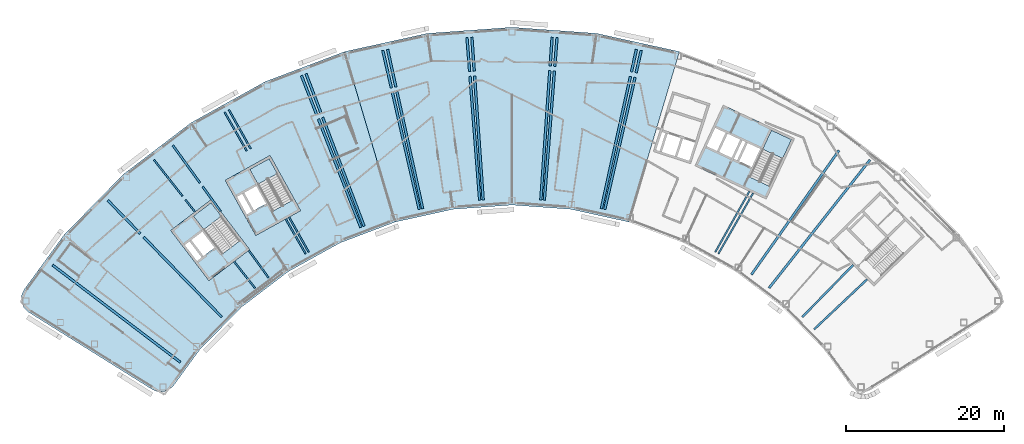
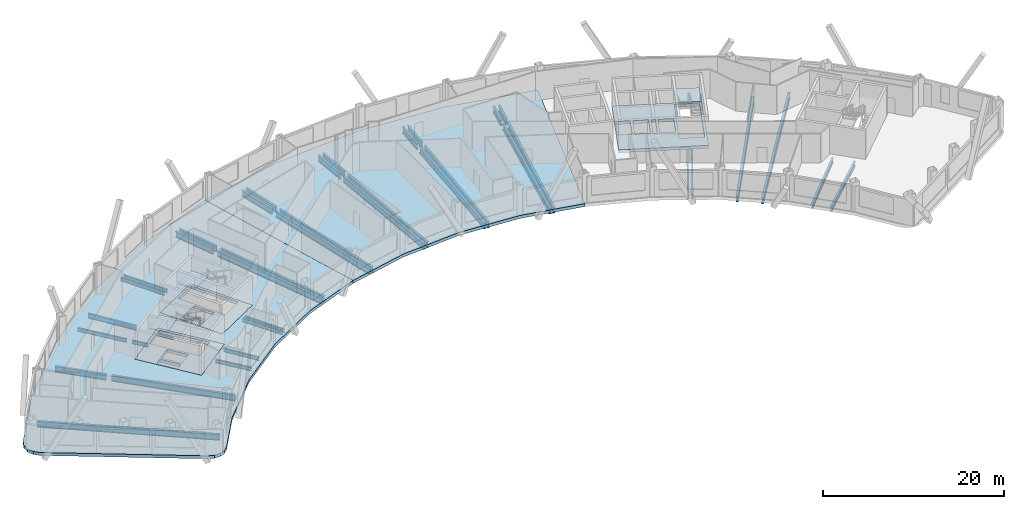
# One storey, part 3 of 13: 39 beams, 8 slabs, 3 elements without a shape of their own.
"""IFC4 building model written with IfcOpenShell, lengths in metres."""

import ifcopenshell
import ifcopenshell.guid

model = None  # the IFC model being written
_history = None  # IfcOwnerHistory: only IFC2X3 demands one
_inside = {}  # id of a spatial element -> (the spatial element, [elements in it])
_under = {}  # id of a project, library or spatial element -> (it, [spatial elements below it])
_declared = {}  # id of a project -> (the project, [libraries it declares])
_typed = {}  # id of a type object -> (the type object, [elements of that type])
_made_of = {}  # id of a material, layer set ... -> (it, [elements and type objects made of it])


def new_model(schema):
    """Start an empty IFC model of exactly this schema.

    Asked for "IFC4X3", IfcOpenShell would pick the latest addendum, in which some entities
    have other attributes; the version numbers below select the first issue.
    IFC2X3 requires an IfcOwnerHistory on every rooted entity: one is made here for all.
    """
    global model, _history
    if schema == "IFC4X3":
        model = ifcopenshell.file(schema_version=(4, 3, 0, 0))
    else:
        model = ifcopenshell.file(schema=schema)
    _inside.clear()
    _under.clear()
    _declared.clear()
    _typed.clear()
    _made_of.clear()
    _history = None
    if model.schema == "IFC2X3":
        org = make("IfcOrganization", Name="unknown")
        user = make(
            "IfcPersonAndOrganization",
            ThePerson=make("IfcPerson", FamilyName="unknown"),
            TheOrganization=org,
        )
        app = make(
            "IfcApplication",
            ApplicationDeveloper=org,
            Version="unknown",
            ApplicationFullName="unknown",
            ApplicationIdentifier="unknown",
        )
        _history = make(
            "IfcOwnerHistory",
            OwningUser=user,
            OwningApplication=app,
            ChangeAction="ADDED",
            CreationDate=0,
        )
    return model


def make(cls, **values):
    """One entity of the class cls with the attributes given. An attribute that is None is left unset."""
    return model.create_entity(
        cls, **{name: value for name, value in values.items() if value is not None}
    )


def rooted(cls, **values):
    """An entity with a GlobalId (a new one), such as an element, a storey or a relation."""
    return make(cls, GlobalId=ifcopenshell.guid.new(), OwnerHistory=_history, **values)


def si_unit(unit_type, name, prefix=None):
    """IfcSIUnit, for example si_unit("LENGTHUNIT", "METRE", prefix="MILLI")."""
    return make("IfcSIUnit", UnitType=unit_type, Prefix=prefix, Name=name)


def assignment(units):
    """IfcUnitAssignment: the units of a project."""
    return None if units is None else make("IfcUnitAssignment", Units=units)


def point(xyz):
    """IfcCartesianPoint."""
    return None if xyz is None else make("IfcCartesianPoint", Coordinates=xyz)


def direction(xyz):
    """IfcDirection."""
    return None if xyz is None else make("IfcDirection", DirectionRatios=xyz)


def frame(location, z_axis=None, x_axis=None):
    """IfcAxis2Placement3D, a coordinate frame: its origin and axes. An axis left out is left unset."""
    return make(
        "IfcAxis2Placement3D",
        Location=point(location),
        Axis=direction(z_axis),
        RefDirection=direction(x_axis),
    )


def frame_2d(location, x_axis=None):
    """IfcAxis2Placement2D, a coordinate frame in the plane: its origin and x axis."""
    return make(
        "IfcAxis2Placement2D", Location=point(location), RefDirection=direction(x_axis)
    )


def origin():
    """The frame at (0, 0, 0) with its axes left unset."""
    return frame((0.0, 0.0, 0.0))


def origin_2d():
    """The frame at (0, 0) in the plane with its x axis left unset."""
    return frame_2d((0.0, 0.0))


def place(relative_to, where):
    """IfcLocalPlacement: puts the frame where relative to a parent placement (None: the world)."""
    return make(
        "IfcLocalPlacement", PlacementRelTo=relative_to, RelativePlacement=where
    )


def context(
    kind, dimensions, precision=None, world=None, true_north=None, identifier=None
):
    """IfcGeometricRepresentationContext, for example the 3D "Model" context."""
    return make(
        "IfcGeometricRepresentationContext",
        ContextIdentifier=identifier,
        ContextType=kind,
        CoordinateSpaceDimension=dimensions,
        Precision=precision,
        WorldCoordinateSystem=world,
        TrueNorth=true_north,
    )


def subcontext(parent, identifier, kind, view, scale=None):
    """IfcGeometricRepresentationSubContext, for example "Body" below "Model"."""
    return make(
        "IfcGeometricRepresentationSubContext",
        ContextIdentifier=identifier,
        ContextType=kind,
        ParentContext=parent,
        TargetScale=scale,
        TargetView=view,
    )


def project(units=None, contexts=None):
    """IfcProject with its units and contexts."""
    return rooted(
        "IfcProject",
        Name="project",
        RepresentationContexts=contexts,
        UnitsInContext=assignment(units),
    )


def spatial(cls, under=None, at=None, **own):
    """A site, building, storey or space (cls), placed at a placement, below another one or the project."""
    s = rooted(cls, ObjectPlacement=at, **own)
    if under is not None:
        _under.setdefault(under.id(), (under, []))[1].append(s)
    return s


def polyline(points):
    """IfcPolyline through the points."""
    return make("IfcPolyline", Points=[point(p) for p in points])


def profile(cls, at=None, kind="AREA", **sizes):
    """A parametric profile (cls). Its sizes go by their IFC names, for example OverallWidth=200.0."""
    return make(cls, ProfileType=kind, Position=at, **sizes)


def i_section(**sizes):
    """IfcIShapeProfileDef."""
    return profile("IfcIShapeProfileDef", **sizes)


def outline(outer, holes=None, kind="AREA"):
    """IfcArbitraryClosedProfileDef: a profile drawn as a closed curve; with holes, ...WithVoids."""
    if holes is None:
        return make("IfcArbitraryClosedProfileDef", ProfileType=kind, OuterCurve=outer)
    return make(
        "IfcArbitraryProfileDefWithVoids",
        ProfileType=kind,
        OuterCurve=outer,
        InnerCurves=holes,
    )


def extrude(swept, where, along, depth):
    """IfcExtrudedAreaSolid: the profile swept, set in the frame where, extruded along a direction by depth."""
    return make(
        "IfcExtrudedAreaSolid",
        SweptArea=swept,
        Position=where,
        ExtrudedDirection=direction(along),
        Depth=depth,
    )


def shape(context_of_items, identifier, shape_type, items):
    """IfcShapeRepresentation: the items that make up one representation, for example the "Body"."""
    return make(
        "IfcShapeRepresentation",
        ContextOfItems=context_of_items,
        RepresentationIdentifier=identifier,
        RepresentationType=shape_type,
        Items=items,
    )


def material(Name=None, Category=None):
    """IfcMaterial."""
    return make("IfcMaterial", Name=Name, Category=Category)


def layer(
    of_material, thickness, ventilated=None, Name=None, Category=None, Priority=None
):
    """IfcMaterialLayer: one layer of a wall or slab, of a material (None: an air gap)."""
    return make(
        "IfcMaterialLayer",
        Material=of_material,
        LayerThickness=thickness,
        IsVentilated=ventilated,
        Name=Name,
        Category=Category,
        Priority=Priority,
    )


def layer_set(layers, Name=None):
    """IfcMaterialLayerSet."""
    return make("IfcMaterialLayerSet", MaterialLayers=layers, LayerSetName=Name)


def material_profile(
    of_material, cross_section, Name=None, Category=None, Priority=None
):
    """IfcMaterialProfile: a cross section and its material."""
    return make(
        "IfcMaterialProfile",
        Name=Name,
        Material=of_material,
        Profile=cross_section,
        Priority=Priority,
        Category=Category,
    )


def profile_set(profiles, Name=None, composite=None):
    """IfcMaterialProfileSet."""
    return make(
        "IfcMaterialProfileSet",
        Name=Name,
        MaterialProfiles=profiles,
        CompositeProfile=composite,
    )


def made_of(thing, what):
    """Note that an element or type object is made of a material, layer set ...; save() writes the relation."""
    if what is not None:
        _made_of.setdefault(what.id(), (what, []))[1].append(thing)
    return thing


def type_object(cls, material=None, **own):
    """A type object (cls), such as IfcWallType, which elements share."""
    return made_of(rooted(cls, **own), material)


def element(
    cls,
    number,
    at=None,
    inside=None,
    cuts=None,
    type_object=None,
    material=None,
    context=None,
    identifier="Body",
    shape_type=None,
    held_by="IfcProductDefinitionShape",
    body=None,
    shapes=None,
    **own,
):
    """One element of the class cls, such as IfcWall. Its Tag is "e" and its number.

    at: its placement. inside: the storey or other place that contains it. cuts: it is an
    opening in that element (IfcRelVoidsElement). A single representation is given by context,
    identifier, shape_type and body (its items); several are given by shapes. held_by: the class
    of the entity that holds the representations. save() writes the other relations.
    """
    e = rooted(cls, Tag="e%d" % number, ObjectPlacement=at, **own)
    if body is not None:
        shapes = [shape(context, identifier, shape_type, body)]
    if shapes is not None:
        e.Representation = make(held_by, Representations=shapes)
    if inside is not None:
        _inside.setdefault(inside.id(), (inside, []))[1].append(e)
    if cuts is not None:
        rooted(
            "IfcRelVoidsElement", RelatingBuildingElement=cuts, RelatedOpeningElement=e
        )
    if type_object is not None:
        _typed.setdefault(type_object.id(), (type_object, []))[1].append(e)
    return made_of(e, material)


def aggregate(whole, parts):
    """IfcRelAggregates: a whole, such as a stair, and the parts it consists of."""
    return rooted("IfcRelAggregates", RelatingObject=whole, RelatedObjects=parts)


def save(model, path):
    """Write the relations noted so far, then the file.

    IfcRelAggregates (storeys below a building ...), IfcRelContainedInSpatialStructure (elements
    in a storey), IfcRelDefinesByType, IfcRelAssociatesMaterial and IfcRelDeclares: one each for
    every whole, place, type object, material and project.
    """
    for whole, parts in _under.values():
        aggregate(whole, parts)
    for where, things in _inside.values():
        rooted(
            "IfcRelContainedInSpatialStructure",
            RelatedElements=things,
            RelatingStructure=where,
        )
    for kind, things in _typed.values():
        rooted("IfcRelDefinesByType", RelatedObjects=things, RelatingType=kind)
    for what, things in _made_of.values():
        rooted("IfcRelAssociatesMaterial", RelatedObjects=things, RelatingMaterial=what)
    for by, libraries in _declared.values():
        rooted("IfcRelDeclares", RelatingContext=by, RelatedDefinitions=libraries)
    model.write(path)


model = new_model("IFC4")

# Units and contexts
model_context = context("Model", 3, precision=1e-05, world=origin(), true_north=direction((0.0, 1.0)))
body_context = subcontext(model_context, "Body", "Model", "MODEL_VIEW")
ifc_project = project(units=[si_unit("LENGTHUNIT", "METRE"), si_unit("AREAUNIT", "SQUARE_METRE"), si_unit("VOLUMEUNIT", "CUBIC_METRE"), si_unit("PLANEANGLEUNIT", "RADIAN"), si_unit("MASSUNIT", "GRAM", prefix="KILO")], contexts=[model_context])

# Site, building, storey
site_placement = place(None, origin())
site = spatial("IfcSite", under=ifc_project, at=site_placement, CompositionType="ELEMENT")
building_placement = place(site_placement, origin())
building = spatial("IfcBuilding", under=site, at=building_placement, Name="Tuul Gate Civic Tower", CompositionType="ELEMENT")
storey_placement = place(building_placement, frame((0.0, 0.0, 319.699951171875)))
storey = spatial("IfcBuildingStorey", under=building, at=storey_placement, Name="Level 72", CompositionType="ELEMENT", Elevation=319.699951171875)

# Beams
ifc_material_1 = material(Name="Steel S355", Category="steel")
ifc_material_profile_1 = material_profile(ifc_material_1, i_section(OverallWidth=0.199951171875, OverallDepth=0.5, WebThickness=0.010009765625, FlangeThickness=0.01611328125, at=origin_2d()), Name="PG500x200x10x16")
ifc_profile_set_1 = profile_set([ifc_material_profile_1], Name="Steel S355")
beam_type_1 = type_object("IfcBeamType", Name="STR-FLOOR BEAM-PG500x200x10x16", PredefinedType="BEAM", material=ifc_profile_set_1)
beam_1_placement = place(storey_placement, frame((28.380615234375, -14.326171875, -0.64990234375), z_axis=(0.496824734829, 0.867850898981, 0.0), x_axis=(-0.867850898981, 0.496824734829, 0.0)))
element("IfcBeam", 1, at=beam_1_placement, inside=storey, type_object=beam_type_1, Name="Floor beam", PredefinedType="BEAM", context=body_context, shape_type="SweptSolid", body=[
    extrude(i_section(OverallWidth=0.199951171875, OverallDepth=0.5, WebThickness=0.010009765625, FlangeThickness=0.01611328125, at=origin_2d()), origin(), (0.0, 0.0, 1.0), 8.892333984375),
])
beam_2_placement = place(storey_placement, frame((27.98876953125, -14.109130859375, -0.64990234375), z_axis=(0.489458624717, 0.872026521781, 0.0), x_axis=(-0.872026521781, 0.489458624717, 0.0)))
element("IfcBeam", 2, at=beam_2_placement, inside=storey, type_object=beam_type_1, Name="Floor beam", PredefinedType="BEAM", context=body_context, shape_type="SweptSolid", body=[
    extrude(i_section(OverallWidth=0.199951171875, OverallDepth=0.5, WebThickness=0.010009765625, FlangeThickness=0.01611328125, at=origin_2d()), origin(), (0.0, 0.0, 1.0), 8.855224609375),
])
beam_3_placement = place(storey_placement, frame((-23.604736328125, -14.109130859375, -0.64990234375), z_axis=(-0.489447972839, 0.872032500474, 0.0), x_axis=(-0.872032500474, -0.489447972839, 0.0)))
element("IfcBeam", 3, at=beam_3_placement, inside=storey, type_object=beam_type_1, Name="Floor beam", PredefinedType="BEAM", context=body_context, shape_type="SweptSolid", body=[
    extrude(i_section(OverallWidth=0.199951171875, OverallDepth=0.5, WebThickness=0.010009765625, FlangeThickness=0.01611328125, at=origin_2d()), origin(), (0.0, 0.0, 1.0), 5.103759765625),
])
beam_4_placement = place(storey_placement, frame((-30.971923828125, -0.9833984375, -0.64990234375), z_axis=(-0.489425777327, 0.872044957836, 0.0), x_axis=(-0.872044957836, -0.489425777327, 0.0)))
element("IfcBeam", 4, at=beam_4_placement, inside=storey, type_object=beam_type_1, Name="Floor beam", PredefinedType="BEAM", context=body_context, shape_type="SweptSolid", body=[
    extrude(i_section(OverallWidth=0.199951171875, OverallDepth=0.5, WebThickness=0.010009765625, FlangeThickness=0.01611328125, at=origin_2d()), origin(), (0.0, 0.0, 1.0), 5.648193359375),
])
beam_5_placement = place(storey_placement, frame((-23.99658203125, -14.326171875, -0.64990234375), z_axis=(-0.49682387552, 0.867851390915, 0.0), x_axis=(-0.867851390915, -0.49682387552, 0.0)))
element("IfcBeam", 5, at=beam_5_placement, inside=storey, type_object=beam_type_1, Name="Floor beam", PredefinedType="BEAM", context=body_context, shape_type="SweptSolid", body=[
    extrude(i_section(OverallWidth=0.199951171875, OverallDepth=0.5, WebThickness=0.010009765625, FlangeThickness=0.01611328125, at=origin_2d()), origin(), (0.0, 0.0, 1.0), 5.104248046875),
])
beam_6_placement = place(storey_placement, frame((-31.475341796875, -1.2626953125, -0.64990234375), z_axis=(-0.496846236312, 0.867838589522, 0.0), x_axis=(-0.867838589522, -0.496846236312, 0.0)))
element("IfcBeam", 6, at=beam_6_placement, inside=storey, type_object=beam_type_1, Name="Floor beam", PredefinedType="BEAM", context=body_context, shape_type="SweptSolid", body=[
    extrude(i_section(OverallWidth=0.199951171875, OverallDepth=0.5, WebThickness=0.010009765625, FlangeThickness=0.01611328125, at=origin_2d()), origin(), (0.0, 0.0, 1.0), 5.64892578125),
])
beam_7_placement = place(storey_placement, frame((-28.70703125, -17.352783203125, -0.64990234375), z_axis=(-0.58607682754, 0.81025548577, 0.0), x_axis=(-0.81025548577, -0.58607682754, 0.0)))
element("IfcBeam", 7, at=beam_7_placement, inside=storey, type_object=beam_type_1, Name="Floor beam", PredefinedType="BEAM", context=body_context, shape_type="SweptSolid", body=[
    extrude(i_section(OverallWidth=0.199951171875, OverallDepth=0.5, WebThickness=0.010009765625, FlangeThickness=0.01611328125, at=origin_2d()), origin(), (0.0, 0.0, 1.0), 4.286376953125),
])
beam_8_placement = place(storey_placement, frame((-30.43017578125, -18.664794921875, -0.64990234375), z_axis=(-0.618834947072, 0.785521042546, 0.0), x_axis=(-0.785521042546, -0.618834947072, 0.0)))
element("IfcBeam", 8, at=beam_8_placement, inside=storey, type_object=beam_type_1, Name="Floor beam", PredefinedType="BEAM", context=body_context, shape_type="SweptSolid", body=[
    extrude(i_section(OverallWidth=0.199951171875, OverallDepth=0.5, WebThickness=0.010009765625, FlangeThickness=0.01611328125, at=origin_2d()), origin(), (0.0, 0.0, 1.0), 4.28564453125),
])
beam_9_placement = place(storey_placement, frame((-38.03369140625, -9.013671875, -0.64990234375), z_axis=(-0.618946227794, 0.785433362609, 0.0), x_axis=(-0.785433362609, -0.618946227794, 0.0)))
element("IfcBeam", 9, at=beam_9_placement, inside=storey, type_object=beam_type_1, Name="Floor beam", PredefinedType="BEAM", context=body_context, shape_type="SweptSolid", body=[
    extrude(i_section(OverallWidth=0.199951171875, OverallDepth=0.5, WebThickness=0.010009765625, FlangeThickness=0.01611328125, at=origin_2d()), origin(), (0.0, 0.0, 1.0), 1.973876953125),
])
beam_10_placement = place(storey_placement, frame((-39.626708984375, -6.991943359375, -0.64990234375), z_axis=(-0.618873007952, 0.785491056619, 0.0), x_axis=(-0.785491056619, -0.618873007952, 0.0)))
element("IfcBeam", 10, at=beam_10_placement, inside=storey, type_object=beam_type_1, Name="Floor beam", PredefinedType="BEAM", context=body_context, shape_type="SweptSolid", body=[
    extrude(i_section(OverallWidth=0.199951171875, OverallDepth=0.5, WebThickness=0.010009765625, FlangeThickness=0.01611328125, at=origin_2d()), origin(), (0.0, 0.0, 1.0), 5.842041015625),
])
ifc_material_2 = material(Name="Steel S355", Category="steel")
ifc_material_profile_2 = material_profile(ifc_material_2, i_section(OverallWidth=0.25, OverallDepth=0.64990234375, WebThickness=0.011962890625, FlangeThickness=0.02001953125, at=origin_2d()), Name="PG650x250x12x20")
ifc_profile_set_2 = profile_set([ifc_material_profile_2], Name="Steel S355")
beam_type_2 = type_object("IfcBeamType", Name="STR-FLOOR BEAM-PG650x250x12x20", PredefinedType="BEAM", material=ifc_profile_set_2)
beam_11_placement = place(storey_placement, frame((40.541015625, -23.901123046875, -0.724853515625), z_axis=(0.727478996692, 0.686129950791, 0.0), x_axis=(-0.686129950791, 0.727478996692, 0.0)))
element("IfcBeam", 11, at=beam_11_placement, inside=storey, type_object=beam_type_2, Name="Floor beam", PredefinedType="BEAM", context=body_context, shape_type="SweptSolid", body=[
    extrude(i_section(OverallWidth=0.25, OverallDepth=0.64990234375, WebThickness=0.011962890625, FlangeThickness=0.02001953125, at=origin_2d()), origin(), (0.0, 0.0, 1.0), 9.240478515625),
])
beam_12_placement = place(storey_placement, frame((39.025146484375, -22.3544921875, -0.724853515625), z_axis=(0.69868197927, 0.715432381042, 0.0), x_axis=(-0.715432381042, 0.69868197927, 0.0)))
element("IfcBeam", 12, at=beam_12_placement, inside=storey, type_object=beam_type_2, Name="Floor beam", PredefinedType="BEAM", context=body_context, shape_type="SweptSolid", body=[
    extrude(i_section(OverallWidth=0.25, OverallDepth=0.64990234375, WebThickness=0.011962890625, FlangeThickness=0.02001953125, at=origin_2d()), origin(), (0.0, 0.0, 1.0), 9.24072265625),
])
beam_13_placement = place(storey_placement, frame((-34.799560546875, -8.9296875, -0.724853515625), z_axis=(-0.586071285944, 0.810259494108, 0.0), x_axis=(-0.810259494108, -0.586071285944, 0.0)))
element("IfcBeam", 13, at=beam_13_placement, inside=storey, type_object=beam_type_2, Name="Floor beam", PredefinedType="BEAM", context=body_context, shape_type="SweptSolid", body=[
    extrude(i_section(OverallWidth=0.25, OverallDepth=0.64990234375, WebThickness=0.011962890625, FlangeThickness=0.02001953125, at=origin_2d()), origin(), (0.0, 0.0, 1.0), 3.866943359375),
])
beam_14_placement = place(storey_placement, frame((-37.417724609375, -5.31005859375, -0.724853515625), z_axis=(-0.58607776471, 0.810254807892, 0.0), x_axis=(-0.810254807892, -0.58607776471, 0.0)))
element("IfcBeam", 14, at=beam_14_placement, inside=storey, type_object=beam_type_2, Name="Floor beam", PredefinedType="BEAM", context=body_context, shape_type="SweptSolid", body=[
    extrude(i_section(OverallWidth=0.25, OverallDepth=0.64990234375, WebThickness=0.011962890625, FlangeThickness=0.02001953125, at=origin_2d()), origin(), (0.0, 0.0, 1.0), 5.8427734375),
])
ifc_material_3 = material(Name="Steel S355", Category="steel")
ifc_material_profile_3 = material_profile(ifc_material_3, i_section(OverallWidth=0.300048828125, OverallDepth=0.800048828125, WebThickness=0.013916015625, FlangeThickness=0.02490234375, at=origin_2d()), Name="PG800x300x14x25")
ifc_profile_set_3 = profile_set([ifc_material_profile_3], Name="Steel S355")
beam_type_3 = type_object("IfcBeamType", Name="STR-FLOOR BEAM-PG800x300x14x25", PredefinedType="BEAM", material=ifc_profile_set_3)
beam_15_placement = place(storey_placement, frame((34.814208984375, -18.664794921875, -0.800048828125), z_axis=(0.618864729936, 0.785497578635, 0.0), x_axis=(-0.785497578635, 0.618864729936, 0.0)))
element("IfcBeam", 15, at=beam_15_placement, inside=storey, type_object=beam_type_3, Name="Floor beam", PredefinedType="BEAM", context=body_context, shape_type="SweptSolid", body=[
    extrude(i_section(OverallWidth=0.300048828125, OverallDepth=0.800048828125, WebThickness=0.013916015625, FlangeThickness=0.02490234375, at=origin_2d()), origin(), (0.0, 0.0, 1.0), 20.702392578125),
])
beam_16_placement = place(storey_placement, frame((32.578125, -16.962158203125, -0.800048828125), z_axis=(0.576134012247, 0.817355247082, 0.0), x_axis=(-0.817355247082, 0.576134012247, 0.0)))
element("IfcBeam", 16, at=beam_16_placement, inside=storey, type_object=beam_type_3, Name="Floor beam", PredefinedType="BEAM", context=body_context, shape_type="SweptSolid", body=[
    extrude(i_section(OverallWidth=0.300048828125, OverallDepth=0.800048828125, WebThickness=0.013916015625, FlangeThickness=0.02490234375, at=origin_2d()), origin(), (0.0, 0.0, 1.0), 19.290771484375),
])
beam_17_placement = place(storey_placement, frame((13.96484375, -8.695068359375, -0.800048828125), z_axis=(0.223359299973, 0.97473618129, 0.0), x_axis=(-0.97473618129, 0.223359299973, 0.0)))
element("IfcBeam", 17, at=beam_17_placement, inside=storey, type_object=beam_type_3, Name="Floor beam", PredefinedType="BEAM", context=body_context, shape_type="SweptSolid", body=[
    extrude(i_section(OverallWidth=0.300048828125, OverallDepth=0.800048828125, WebThickness=0.013916015625, FlangeThickness=0.02490234375, at=origin_2d()), origin(), (0.0, 0.0, 1.0), 17.201171875),
])
beam_18_placement = place(storey_placement, frame((17.94091796875, 8.65625, -0.800048828125), z_axis=(0.223407825932, 0.97472506037, 0.0), x_axis=(-0.97472506037, 0.223407825932, 0.0)))
element("IfcBeam", 18, at=beam_18_placement, inside=storey, type_object=beam_type_3, Name="Floor beam", PredefinedType="BEAM", context=body_context, shape_type="SweptSolid", body=[
    extrude(i_section(OverallWidth=0.300048828125, OverallDepth=0.800048828125, WebThickness=0.013916015625, FlangeThickness=0.02490234375, at=origin_2d()), origin(), (0.0, 0.0, 1.0), 2.899169921875),
])
beam_19_placement = place(storey_placement, frame((13.527587890625, -8.598876953125, -0.800048828125), z_axis=(0.215063794946, 0.976600002101, 0.0), x_axis=(-0.976600002101, 0.215063794946, 0.0)))
element("IfcBeam", 19, at=beam_19_placement, inside=storey, type_object=beam_type_3, Name="Floor beam", PredefinedType="BEAM", context=body_context, shape_type="SweptSolid", body=[
    extrude(i_section(OverallWidth=0.300048828125, OverallDepth=0.800048828125, WebThickness=0.013916015625, FlangeThickness=0.02490234375, at=origin_2d()), origin(), (0.0, 0.0, 1.0), 17.175537109375),
])
beam_20_placement = place(storey_placement, frame((17.35205078125, 8.76708984375, -0.800048828125), z_axis=(0.215051737568, 0.976602657261, 0.0), x_axis=(-0.976602657261, 0.215051737568, 0.0)))
element("IfcBeam", 20, at=beam_20_placement, inside=storey, type_object=beam_type_3, Name="Floor beam", PredefinedType="BEAM", context=body_context, shape_type="SweptSolid", body=[
    extrude(i_section(OverallWidth=0.300048828125, OverallDepth=0.800048828125, WebThickness=0.013916015625, FlangeThickness=0.02490234375, at=origin_2d()), origin(), (0.0, 0.0, 1.0), 2.917724609375),
])
beam_21_placement = place(storey_placement, frame((6.294677734375, -7.524658203125, -0.800048828125), z_axis=(0.077848481233, 0.996965201985, 0.0), x_axis=(-0.996965201985, 0.077848481233, 0.0)))
element("IfcBeam", 21, at=beam_21_placement, inside=storey, type_object=beam_type_3, Name="Floor beam", PredefinedType="BEAM", context=body_context, shape_type="SweptSolid", body=[
    extrude(i_section(OverallWidth=0.300048828125, OverallDepth=0.800048828125, WebThickness=0.013916015625, FlangeThickness=0.02490234375, at=origin_2d()), origin(), (0.0, 0.0, 1.0), 16.44873046875),
])
beam_22_placement = place(storey_placement, frame((7.621826171875, 9.472412109375, -0.800048828125), z_axis=(0.077821215991, 0.996967330629, 0.0), x_axis=(-0.996967330629, 0.077821215991, 0.0)))
element("IfcBeam", 22, at=beam_22_placement, inside=storey, type_object=beam_type_3, Name="Floor beam", PredefinedType="BEAM", context=body_context, shape_type="SweptSolid", body=[
    extrude(i_section(OverallWidth=0.300048828125, OverallDepth=0.800048828125, WebThickness=0.013916015625, FlangeThickness=0.02490234375, at=origin_2d()), origin(), (0.0, 0.0, 1.0), 3.651611328125),
])
beam_23_placement = place(storey_placement, frame((5.84814453125, -7.4921875, -0.800048828125), z_axis=(0.069359867209, 0.997591704467, 0.0), x_axis=(-0.997591704467, 0.069359867209, 0.0)))
element("IfcBeam", 23, at=beam_23_placement, inside=storey, type_object=beam_type_3, Name="Floor beam", PredefinedType="BEAM", context=body_context, shape_type="SweptSolid", body=[
    extrude(i_section(OverallWidth=0.300048828125, OverallDepth=0.800048828125, WebThickness=0.013916015625, FlangeThickness=0.02490234375, at=origin_2d()), origin(), (0.0, 0.0, 1.0), 16.448486328125),
])
beam_24_placement = place(storey_placement, frame((7.03076171875, 9.51513671875, -0.800048828125), z_axis=(0.069332122346, 0.997593633105, 0.0), x_axis=(-0.997593633105, 0.069332122346, 0.0)))
element("IfcBeam", 24, at=beam_24_placement, inside=storey, type_object=beam_type_3, Name="Floor beam", PredefinedType="BEAM", context=body_context, shape_type="SweptSolid", body=[
    extrude(i_section(OverallWidth=0.300048828125, OverallDepth=0.800048828125, WebThickness=0.013916015625, FlangeThickness=0.02490234375, at=origin_2d()), origin(), (0.0, 0.0, 1.0), 3.651611328125),
])
beam_25_placement = place(storey_placement, frame((-1.464111328125, -7.4921875, -0.800048828125), z_axis=(-0.069357345361, 0.997591879801, 0.0), x_axis=(-0.997591879801, -0.069357345361, 0.0)))
element("IfcBeam", 25, at=beam_25_placement, inside=storey, type_object=beam_type_3, Name="Floor beam", PredefinedType="BEAM", context=body_context, shape_type="SweptSolid", body=[
    extrude(i_section(OverallWidth=0.300048828125, OverallDepth=0.800048828125, WebThickness=0.013916015625, FlangeThickness=0.02490234375, at=origin_2d()), origin(), (0.0, 0.0, 1.0), 15.783935546875),
])
beam_26_placement = place(storey_placement, frame((-2.6005859375, 8.85205078125, -0.800048828125), z_axis=(-0.069345616843, 0.997592695154, 0.0), x_axis=(-0.997592695154, -0.069345616843, 0.0)))
element("IfcBeam", 26, at=beam_26_placement, inside=storey, type_object=beam_type_3, Name="Floor beam", PredefinedType="BEAM", context=body_context, shape_type="SweptSolid", body=[
    extrude(i_section(OverallWidth=0.300048828125, OverallDepth=0.800048828125, WebThickness=0.013916015625, FlangeThickness=0.02490234375, at=origin_2d()), origin(), (0.0, 0.0, 1.0), 4.31640625),
])
beam_27_placement = place(storey_placement, frame((-1.91064453125, -7.524658203125, -0.800048828125), z_axis=(-0.077848512132, 0.996965199573, 0.0), x_axis=(-0.996965199573, -0.077848512132, 0.0)))
element("IfcBeam", 27, at=beam_27_placement, inside=storey, type_object=beam_type_3, Name="Floor beam", PredefinedType="BEAM", context=body_context, shape_type="SweptSolid", body=[
    extrude(i_section(OverallWidth=0.300048828125, OverallDepth=0.800048828125, WebThickness=0.013916015625, FlangeThickness=0.02490234375, at=origin_2d()), origin(), (0.0, 0.0, 1.0), 15.783935546875),
])
beam_28_placement = place(storey_placement, frame((-3.18603515625, 8.809814453125, -0.800048828125), z_axis=(-0.077829691172, 0.996966669038, 0.0), x_axis=(-0.996966669038, -0.077829691172, 0.0)))
element("IfcBeam", 28, at=beam_28_placement, inside=storey, type_object=beam_type_3, Name="Floor beam", PredefinedType="BEAM", context=body_context, shape_type="SweptSolid", body=[
    extrude(i_section(OverallWidth=0.300048828125, OverallDepth=0.800048828125, WebThickness=0.013916015625, FlangeThickness=0.02490234375, at=origin_2d()), origin(), (0.0, 0.0, 1.0), 4.31640625),
])
beam_29_placement = place(storey_placement, frame((-9.1435546875, -8.598876953125, -0.800048828125), z_axis=(-0.21507564395, 0.976597392675, 0.0), x_axis=(-0.976597392675, -0.21507564395, 0.0)))
element("IfcBeam", 29, at=beam_29_placement, inside=storey, type_object=beam_type_3, Name="Floor beam", PredefinedType="BEAM", context=body_context, shape_type="SweptSolid", body=[
    extrude(i_section(OverallWidth=0.300048828125, OverallDepth=0.800048828125, WebThickness=0.013916015625, FlangeThickness=0.02490234375, at=origin_2d()), origin(), (0.0, 0.0, 1.0), 15.22216796875),
])
beam_30_placement = place(storey_placement, frame((-12.54638671875, 6.85302734375, -0.800048828125), z_axis=(-0.215080439648, 0.976596336508, 0.0), x_axis=(-0.976596336508, -0.215080439648, 0.0)))
element("IfcBeam", 30, at=beam_30_placement, inside=storey, type_object=beam_type_3, Name="Floor beam", PredefinedType="BEAM", context=body_context, shape_type="SweptSolid", body=[
    extrude(i_section(OverallWidth=0.300048828125, OverallDepth=0.800048828125, WebThickness=0.013916015625, FlangeThickness=0.02490234375, at=origin_2d()), origin(), (0.0, 0.0, 1.0), 4.877685546875),
])
beam_31_placement = place(storey_placement, frame((-9.580810546875, -8.695068359375, -0.800048828125), z_axis=(-0.223363458056, 0.974735228462, 0.0), x_axis=(-0.974735228462, -0.223363458056, 0.0)))
element("IfcBeam", 31, at=beam_31_placement, inside=storey, type_object=beam_type_3, Name="Floor beam", PredefinedType="BEAM", context=body_context, shape_type="SweptSolid", body=[
    extrude(i_section(OverallWidth=0.300048828125, OverallDepth=0.800048828125, WebThickness=0.013916015625, FlangeThickness=0.02490234375, at=origin_2d()), origin(), (0.0, 0.0, 1.0), 15.222412109375),
])
beam_32_placement = place(storey_placement, frame((-13.114990234375, 6.727783203125, -0.800048828125), z_axis=(-0.223386063695, 0.974730048037, 0.0), x_axis=(-0.974730048037, -0.223386063695, 0.0)))
element("IfcBeam", 32, at=beam_32_placement, inside=storey, type_object=beam_type_3, Name="Floor beam", PredefinedType="BEAM", context=body_context, shape_type="SweptSolid", body=[
    extrude(i_section(OverallWidth=0.300048828125, OverallDepth=0.800048828125, WebThickness=0.013916015625, FlangeThickness=0.02490234375, at=origin_2d()), origin(), (0.0, 0.0, 1.0), 4.877685546875),
])
beam_33_placement = place(storey_placement, frame((-16.577392578125, -10.8203125, -0.800048828125), z_axis=(-0.356127255021, 0.934437466196, 0.0), x_axis=(-0.934437466196, -0.356127255021, 0.0)))
element("IfcBeam", 33, at=beam_33_placement, inside=storey, type_object=beam_type_3, Name="Floor beam", PredefinedType="BEAM", context=body_context, shape_type="SweptSolid", body=[
    extrude(i_section(OverallWidth=0.300048828125, OverallDepth=0.800048828125, WebThickness=0.013916015625, FlangeThickness=0.02490234375, at=origin_2d()), origin(), (0.0, 0.0, 1.0), 14.77490234375),
])
beam_34_placement = place(storey_placement, frame((-22.052734375, 3.54638671875, -0.800048828125), z_axis=(-0.356132589731, 0.934435433046, 0.0), x_axis=(-0.934435433046, -0.356132589731, 0.0)))
element("IfcBeam", 34, at=beam_34_placement, inside=storey, type_object=beam_type_3, Name="Floor beam", PredefinedType="BEAM", context=body_context, shape_type="SweptSolid", body=[
    extrude(i_section(OverallWidth=0.300048828125, OverallDepth=0.800048828125, WebThickness=0.013916015625, FlangeThickness=0.02490234375, at=origin_2d()), origin(), (0.0, 0.0, 1.0), 5.3251953125),
])
beam_35_placement = place(storey_placement, frame((-16.996337890625, -10.978759765625, -0.800048828125), z_axis=(-0.364054802196, 0.931377528716, 0.0), x_axis=(-0.931377528716, -0.364054802196, 0.0)))
element("IfcBeam", 35, at=beam_35_placement, inside=storey, type_object=beam_type_3, Name="Floor beam", PredefinedType="BEAM", context=body_context, shape_type="SweptSolid", body=[
    extrude(i_section(OverallWidth=0.300048828125, OverallDepth=0.800048828125, WebThickness=0.013916015625, FlangeThickness=0.02490234375, at=origin_2d()), origin(), (0.0, 0.0, 1.0), 14.775634765625),
])
beam_36_placement = place(storey_placement, frame((-22.59375, 3.341796875, -0.800048828125), z_axis=(-0.364036337439, 0.931384745969, 0.0), x_axis=(-0.931384745969, -0.364036337439, 0.0)))
element("IfcBeam", 36, at=beam_36_placement, inside=storey, type_object=beam_type_3, Name="Floor beam", PredefinedType="BEAM", context=body_context, shape_type="SweptSolid", body=[
    extrude(i_section(OverallWidth=0.300048828125, OverallDepth=0.800048828125, WebThickness=0.013916015625, FlangeThickness=0.02490234375, at=origin_2d()), origin(), (0.0, 0.0, 1.0), 5.32568359375),
])
beam_37_placement = place(storey_placement, frame((-34.64111328125, -22.3544921875, -0.800048828125), z_axis=(-0.698686333546, 0.715428128687, 0.0), x_axis=(-0.715428128687, -0.698686333546, 0.0)))
element("IfcBeam", 37, at=beam_37_placement, inside=storey, type_object=beam_type_3, Name="Floor beam", PredefinedType="BEAM", context=body_context, shape_type="SweptSolid", body=[
    extrude(i_section(OverallWidth=0.300048828125, OverallDepth=0.800048828125, WebThickness=0.013916015625, FlangeThickness=0.02490234375, at=origin_2d()), origin(), (0.0, 0.0, 1.0), 14.20361328125),
])
beam_38_placement = place(storey_placement, frame((-44.984375, -11.763427734375, -0.800048828125), z_axis=(-0.698679451074, 0.715434850037, 0.0), x_axis=(-0.715434850037, -0.698679451074, 0.0)))
element("IfcBeam", 38, at=beam_38_placement, inside=storey, type_object=beam_type_3, Name="Floor beam", PredefinedType="BEAM", context=body_context, shape_type="SweptSolid", body=[
    extrude(i_section(OverallWidth=0.300048828125, OverallDepth=0.800048828125, WebThickness=0.013916015625, FlangeThickness=0.02490234375, at=origin_2d()), origin(), (0.0, 0.0, 1.0), 5.901123046875),
])
beam_39_placement = place(storey_placement, frame((-39.90234375, -28.0771484375, -0.800048828125), z_axis=(-0.796142093253, 0.605109715135, 0.0), x_axis=(-0.605109715135, -0.796142093253, 0.0)))
element("IfcBeam", 39, at=beam_39_placement, inside=storey, type_object=beam_type_3, Name="Floor beam", PredefinedType="BEAM", context=body_context, shape_type="SweptSolid", body=[
    extrude(i_section(OverallWidth=0.300048828125, OverallDepth=0.800048828125, WebThickness=0.013916015625, FlangeThickness=0.02490234375, at=origin_2d()), origin(), (0.0, 0.0, 1.0), 20.362548828125),
])

# Slabs
ifc_material_4 = material(Name="Concrete C40/50", Category="concrete")
ifc_layer_1 = layer(ifc_material_4, 0.39990234375)
ifc_layer_set_1 = layer_set([ifc_layer_1], Name="Concrete C40/50")
slab_type_1 = type_object("IfcSlabType", Name="Core floor slab 400", PredefinedType="FLOOR", material=ifc_layer_set_1)
slab_1_placement = place(storey_placement, frame((0.0, 0.0, -0.400146484375)))
element("IfcSlab", 40, at=slab_1_placement, inside=storey, type_object=slab_type_1, Name="FLOOR SLAB", PredefinedType="FLOOR", context=body_context, shape_type="SweptSolid", body=[
    extrude(outline(polyline([(-31.10009765625, -13.7890625), (-35.946044921875, -7.423828125), (-41.11767578125, -11.361572265625), (-36.271484375, -17.726806640625), (-31.10009765625, -13.7890625)]), holes=[polyline([(-35.561767578125, -13.541259765625), (-37.1064453125, -11.512451171875), (-38.498779296875, -12.572509765625), (-36.9541015625, -14.6015625), (-35.561767578125, -13.541259765625)]), polyline([(-37.19287109375, -14.783203125), (-38.737548828125, -12.75439453125), (-39.45361328125, -13.299560546875), (-37.908935546875, -15.328369140625), (-37.19287109375, -14.783203125)]), polyline([(-32.33935546875, -12.65771484375), (-34.56591796875, -14.352783203125), (-38.229736328125, -9.54052734375), (-36.003173828125, -7.845458984375), (-32.33935546875, -12.65771484375)])]), origin(), (0.0, 0.0, 1.0), 0.400146484375),
])
slab_2_placement = place(storey_placement, frame((0.0, 0.0, -0.400146484375)))
element("IfcSlab", 41, at=slab_2_placement, inside=storey, type_object=slab_type_1, Name="FLOOR SLAB", PredefinedType="FLOOR", context=body_context, shape_type="SweptSolid", body=[
    extrude(outline(polyline([(-24.638916015625, -8.846923828125), (-28.51708984375, -1.849853515625), (-34.2021484375, -5.0009765625), (-30.32421875, -11.998046875), (-24.638916015625, -8.846923828125)]), holes=[polyline([(-29.0185546875, -7.958740234375), (-30.254638671875, -5.728515625), (-31.785400390625, -6.576904296875), (-30.54931640625, -8.80712890625), (-29.0185546875, -7.958740234375)]), polyline([(-30.8115234375, -8.95263671875), (-32.047607421875, -6.72216796875), (-32.8349609375, -7.158447265625), (-31.5986328125, -9.388916015625), (-30.8115234375, -8.95263671875)]), polyline([(-25.702392578125, -7.548828125), (-28.14990234375, -8.905517578125), (-31.08203125, -3.615234375), (-28.63427734375, -2.2587890625), (-25.702392578125, -7.548828125)])]), origin(), (0.0, 0.0, 1.0), 0.400146484375),
])
slab_3_placement = place(storey_placement, frame((0.0, 0.0, -0.400146484375)))
element("IfcSlab", 42, at=slab_3_placement, inside=storey, type_object=slab_type_1, Name="FLOOR SLAB", PredefinedType="FLOOR", context=body_context, shape_type="SweptSolid", body=[
    extrude(outline(polyline([(34.465087890625, -7.385986328125), (38.056884765625, 0.31787109375), (28.993896484375, 4.543701171875), (25.40185546875, -3.159912109375), (34.465087890625, -7.385986328125)]), holes=[polyline([(32.60888671875, -3.32080078125), (33.6865234375, -1.009765625), (32.1005859375, -0.27001953125), (31.02294921875, -2.581298828125), (32.60888671875, -3.32080078125)]), polyline([(30.0712890625, -2.137451171875), (31.14892578125, 0.173583984375), (29.562744140625, 0.9130859375), (28.4853515625, -1.39794921875), (30.0712890625, -2.137451171875)]), polyline([(30.751220703125, -2.454345703125), (31.82861328125, -0.143310546875), (31.4208984375, 0.046875), (30.34326171875, -2.264404296875), (30.751220703125, -2.454345703125)]), polyline([(28.21337890625, -1.27099609375), (29.291015625, 1.0400390625), (27.8408203125, 1.71630859375), (26.76318359375, -0.594970703125), (28.21337890625, -1.27099609375)]), polyline([(34.889892578125, -5.7626953125), (32.353759765625, -4.580078125), (35.120849609375, 1.354736328125), (37.6572265625, 0.17236328125), (34.889892578125, -5.7626953125)])]), origin(), (0.0, 0.0, 1.0), 0.400146484375),
])

# Stair, slab
ifc_material_5 = material(Name="Concrete C40/50", Category="concrete")
stair_type = type_object("IfcStairType", Name="Exit stair", PredefinedType="HALF_TURN_STAIR", material=ifc_material_5)
stair_1_placement = place(storey_placement, origin())
stair_1 = element("IfcStair", 43, at=stair_1_placement, inside=storey, type_object=stair_type, Name="Level 72 ST-1", PredefinedType="HALF_TURN_STAIR")
ifc_material_6 = material(Name="Concrete C40/50", Category="concrete")
ifc_layer_2 = layer(ifc_material_6, 0.199951171875)
ifc_layer_set_2 = layer_set([ifc_layer_2], Name="Concrete C40/50")
slab_type_2 = type_object("IfcSlabType", Name="Exit stair landing", PredefinedType="LANDING", material=ifc_layer_set_2)
slab_4_placement = place(storey_placement, frame((0.0, 0.0, 1.900146484375)))
slab_4 = element("IfcSlab", 44, at=slab_4_placement, type_object=slab_type_2, Name="ST-1 landing 1", PredefinedType="LANDING", context=body_context, shape_type="SweptSolid", body=[
    extrude(outline(polyline([(-34.699462890625, -9.554931640625), (-36.9287109375, -11.252197265625), (-38.23193359375, -9.540283203125), (-36.0029296875, -7.843017578125), (-34.699462890625, -9.554931640625)])), origin(), (0.0, 0.0, 1.0), 0.199951171875),
])
aggregate(stair_1, [slab_4])

stair_2_placement = place(storey_placement, origin())
stair_2 = element("IfcStair", 45, at=stair_2_placement, inside=storey, type_object=stair_type, Name="Level 72 ST-2", PredefinedType="HALF_TURN_STAIR")
slab_5_placement = place(storey_placement, frame((0.0, 0.0, 1.900146484375)))
slab_5 = element("IfcSlab", 46, at=slab_5_placement, type_object=slab_type_2, Name="ST-2 landing 1", PredefinedType="LANDING", context=body_context, shape_type="SweptSolid", body=[
    extrude(outline(polyline([(-27.5908203125, -4.138427734375), (-30.041015625, -5.49658203125), (-31.084228515625, -3.61474609375), (-28.6337890625, -2.256591796875), (-27.5908203125, -4.138427734375)])), origin(), (0.0, 0.0, 1.0), 0.199951171875),
])
aggregate(stair_2, [slab_5])

stair_3_placement = place(storey_placement, origin())
stair_3 = element("IfcStair", 47, at=stair_3_placement, inside=storey, type_object=stair_type, Name="Level 72 ST-4", PredefinedType="HALF_TURN_STAIR")
slab_6_placement = place(storey_placement, frame((0.0, 0.0, 1.900146484375)))
slab_6 = element("IfcSlab", 48, at=slab_6_placement, type_object=slab_type_2, Name="ST-4 landing 1", PredefinedType="LANDING", context=body_context, shape_type="SweptSolid", body=[
    extrude(outline(polyline([(36.538818359375, -2.230224609375), (33.999755859375, -1.046142578125), (35.1201171875, 1.35693359375), (37.659423828125, 0.173095703125), (36.538818359375, -2.230224609375)])), origin(), (0.0, 0.0, 1.0), 0.199951171875),
])
aggregate(stair_3, [slab_6])

# Slabs
ifc_material_7 = material(Name="Concrete C35/45", Category="concrete")
ifc_layer_3 = layer(ifc_material_7, 0.39990234375)
ifc_layer_set_3 = layer_set([ifc_layer_3], Name="Concrete C35/45")
slab_type_3 = type_object("IfcSlabType", Name="STR-FLOOR-SLAB-400", PredefinedType="FLOOR", material=ifc_layer_set_3)
slab_7_placement = place(storey_placement, frame((0.0, 0.0, -0.400146484375)))
element("IfcSlab", 49, at=slab_7_placement, inside=storey, type_object=slab_type_3, Name="Level 72/slab/W", PredefinedType="FLOOR", context=body_context, shape_type="SweptSolid", body=[
    extrude(outline(polyline([(-19.64208984375, -12.94189453125), (-12.6220703125, -10.287109375), (-19.055908203125, 11.3349609375), (-29.125, 7.528076171875), (-38.5390625, 2.30908203125), (-47.10400390625, -4.2119140625), (-54.638916015625, -11.89892578125), (-59.718994140625, -18.85498046875), (-60.055908203125, -19.597900390625), (-60.068115234375, -20.4140625), (-59.7529296875, -21.1669921875), (-59.1640625, -21.73095703125), (-43.43408203125, -31.56005859375), (-42.739990234375, -31.830078125), (-41.9951171875, -31.827880859375), (-41.302978515625, -31.552978515625), (-40.759033203125, -31.0439453125), (-37.429931640625, -26.486083984375), (-32.177001953125, -21.1259765625), (-26.2060546875, -16.580078125), (-19.64208984375, -12.94189453125)]), holes=[polyline([(-31.10009765625, -13.7890625), (-36.27197265625, -17.72705078125), (-41.117919921875, -11.362060546875), (-35.946044921875, -7.424072265625), (-31.10009765625, -13.7890625)]), polyline([(-24.638916015625, -8.846923828125), (-30.323974609375, -11.998046875), (-34.201904296875, -5.0009765625), (-28.51708984375, -1.85009765625), (-24.638916015625, -8.846923828125)])]), origin(), (0.0, 0.0, 1.0), 0.400146484375),
])
slab_8_placement = place(storey_placement, frame((0.0, 0.0, -0.400146484375)))
element("IfcSlab", 50, at=slab_8_placement, inside=storey, type_object=slab_type_3, Name="Level 72/slab/M", PredefinedType="FLOOR", context=body_context, shape_type="SweptSolid", body=[
    extrude(outline(polyline([(17.006103515625, -10.287109375), (23.43994140625, 11.3349609375), (12.927978515625, 13.652099609375), (2.19189453125, 14.428955078125), (-8.5439453125, 13.652099609375), (-19.055908203125, 11.3349609375), (-12.6220703125, -10.287109375), (-5.29296875, -8.672119140625), (2.19189453125, -8.1298828125), (9.677001953125, -8.672119140625), (17.006103515625, -10.287109375)])), origin(), (0.0, 0.0, 1.0), 0.400146484375),
])

save(model, "model.ifc")
